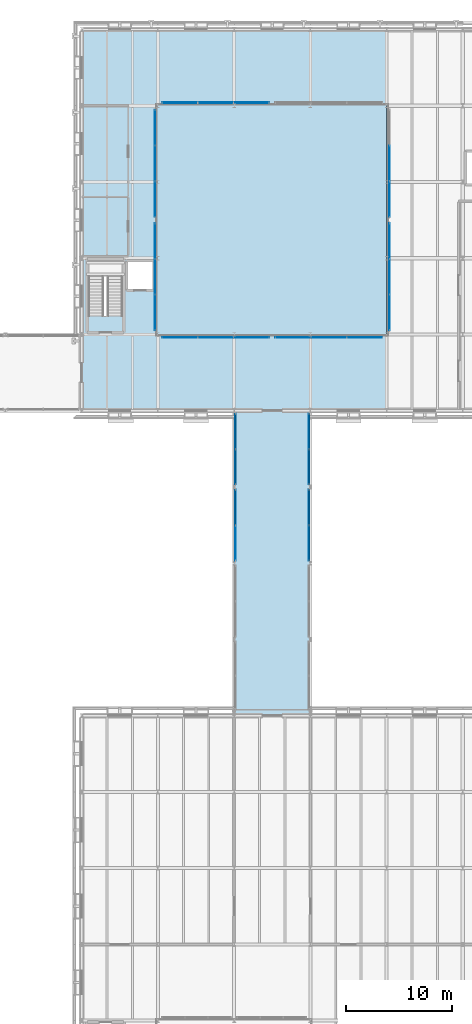
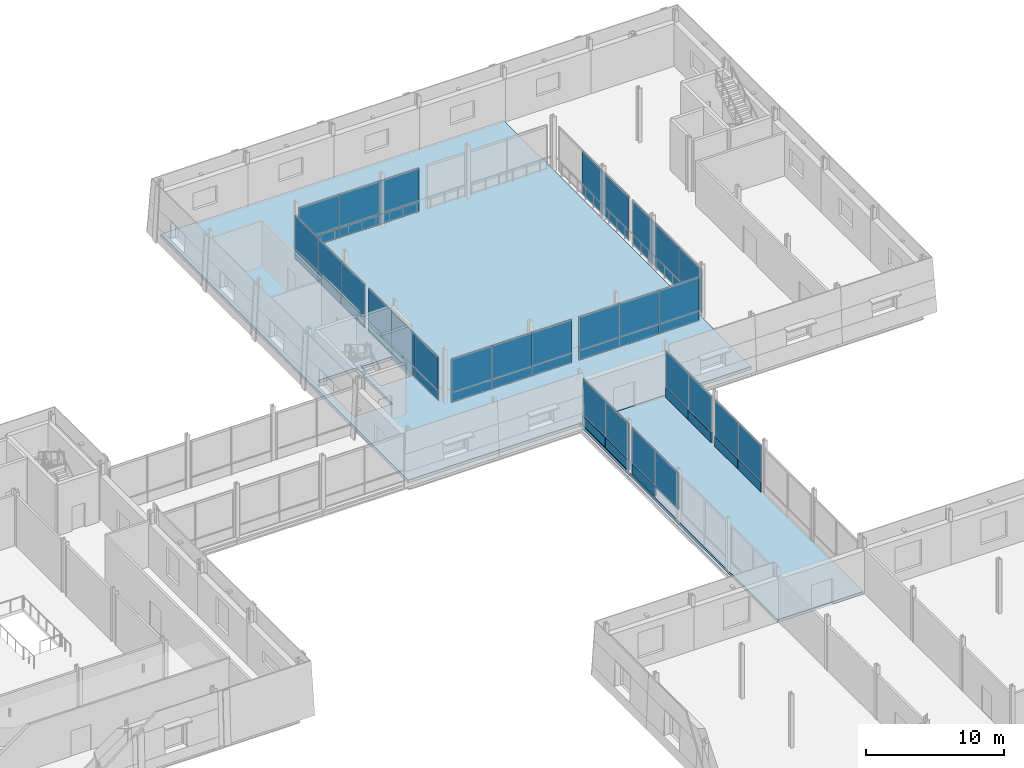
# One storey, part 67 of 121: 55 plates, 2 slabs, 11 elements without a shape of their own.
"""IFC4 building model written with IfcOpenShell, lengths in metres."""

from ifc_helpers import new_model, si_unit, direction, frame, origin, origin_2d, place, context, subcontext, project, spatial, polyline, rectangle, outline, extrude, material, layer, layer_set, type_object, element, aggregate, save


model = new_model("IFC4")

# Units and contexts
model_context = context("Model", 3, precision=1e-05, world=origin(), true_north=direction((0.0, 1.0)))
body_context = subcontext(model_context, "Body", "Model", "MODEL_VIEW")
ifc_project = project(units=[si_unit("LENGTHUNIT", "METRE"), si_unit("AREAUNIT", "SQUARE_METRE"), si_unit("VOLUMEUNIT", "CUBIC_METRE"), si_unit("PLANEANGLEUNIT", "RADIAN"), si_unit("MASSUNIT", "GRAM", prefix="KILO")], contexts=[model_context])

# Site, building, storey
site_placement = place(None, origin())
site = spatial("IfcSite", under=ifc_project, at=site_placement, CompositionType="ELEMENT")
building_placement = place(site_placement, origin())
building = spatial("IfcBuilding", under=site, at=building_placement, Name="Narikvali Park Central Library", CompositionType="ELEMENT")
storey_placement = place(building_placement, frame((0.0, 0.0, 5.39990234375)))
storey = spatial("IfcBuildingStorey", under=building, at=storey_placement, Name="L01", CompositionType="ELEMENT", Elevation=5.39990234375)

# Slabs
ifc_material_1 = material(Name="Concrete C40/50", Category="concrete")
ifc_layer_1 = layer(ifc_material_1, 0.25, Name="Concrete C40/50")
ifc_layer_set_1 = layer_set([ifc_layer_1], Name="Concrete C40/50")
slab_type_1 = type_object("IfcSlabType", Name="Bridge Sliding Deck Slab 250", PredefinedType="FLOOR", material=ifc_layer_set_1)
slab_1_placement = place(storey_placement, frame((0.0, 0.0, -0.25)))
element("IfcSlab", 1, at=slab_1_placement, inside=storey, type_object=slab_type_1, Name="BRG-4 L01 Covered Bridge Deck", PredefinedType="FLOOR", context=body_context, shape_type="SweptSolid", body=[
    extrude(outline(polyline([(136.800048828125, 50.43994140625), (144.0, 50.43994140625), (144.0, 79.159912109375), (136.800048828125, 79.159912109375), (136.800048828125, 50.43994140625)])), origin(), (0.0, 0.0, 1.0), 0.25),
])
ifc_material_2 = material(Name="Concrete C35/45", Category="concrete")
ifc_layer_2 = layer(ifc_material_2, 0.280029296875, Name="Concrete C35/45")
ifc_layer_set_2 = layer_set([ifc_layer_2], Name="Concrete C35/45")
slab_type_2 = type_object("IfcSlabType", Name="Composite Reading Floor Slab 280", PredefinedType="FLOOR", material=ifc_layer_set_2)
slab_2_placement = place(storey_placement, frame((0.0, 0.0, -0.27978515625)))
element("IfcSlab", 2, at=slab_2_placement, inside=storey, type_object=slab_type_2, Name="V3 L01 Structural Slab Panel 1", PredefinedType="FLOOR", context=body_context, shape_type="SweptSolid", body=[
    extrude(outline(polyline([(122.39990234375, 79.199951171875), (151.199951171875, 79.199951171875), (151.199951171875, 115.199951171875), (122.39990234375, 115.199951171875), (122.39990234375, 79.199951171875)]), holes=[polyline([(123.050048828125, 88.14990234375), (126.25, 88.14990234375), (126.25, 93.39990234375), (123.050048828125, 93.39990234375), (123.050048828125, 88.14990234375)]), polyline([(126.64990234375, 90.550048828125), (129.199951171875, 90.550048828125), (129.199951171875, 93.35009765625), (126.64990234375, 93.35009765625), (126.64990234375, 90.550048828125)])]), origin(), (0.0, 0.0, 1.0), 0.27978515625),
])

# Curtain wall, plate
ifc_material_3 = material(Name="Anodised Bronze Aluminium", Category="aluminium")
ifc_layer_3 = layer(ifc_material_3, 0.219970703125, Name="Anodised Bronze Aluminium")
ifc_layer_set_3 = layer_set([ifc_layer_3], Name="Anodised Bronze Aluminium")
curtain_wall_type_1 = type_object("IfcCurtainWallType", Name="Bridge Covered Passage Glazing System", PredefinedType="NOTDEFINED", material=ifc_layer_set_3)
curtain_wall_1_placement = place(storey_placement, origin())
curtain_wall_1 = element("IfcCurtainWall", 3, at=curtain_wall_1_placement, inside=storey, type_object=curtain_wall_type_1, Name="Bridge Covered Passage Glazing System CW-BRG-4-L01-W4", PredefinedType="NOTDEFINED")
ifc_material_4 = material(Name="Anodised Bronze Acoustic Spandrel Cassette")
ifc_layer_4 = layer(ifc_material_4, 0.1650390625, Name="Anodised Bronze Acoustic Spandrel Cassette")
ifc_layer_set_4 = layer_set([ifc_layer_4], Name="Anodised Bronze Acoustic Spandrel Cassette")
plate_type_1 = type_object("IfcPlateType", Name="Curtain Wall Acoustic Plenum Louvre Cassette 165", PredefinedType="CURTAIN_PANEL", material=ifc_layer_set_4)
plate_1_placement = place(storey_placement, frame((136.919921875, 77.235107421875, 0.03515625), z_axis=(0.0, 0.0, 1.0), x_axis=(0.0, 1.0, 0.0)))
plate_1 = element("IfcPlate", 4, at=plate_1_placement, type_object=plate_type_1, Name="CW-BRG-4-L01-W4 Panel 01-0", PredefinedType="CURTAIN_PANEL", context=body_context, shape_type="SweptSolid", body=[
    extrude(rectangle(XDim=3.320068359375, YDim=0.1650390625, at=origin_2d()), origin(), (0.0, 0.0, 1.0), 0.860107421875),
])

curtain_wall_2_placement = place(storey_placement, origin())
curtain_wall_2 = element("IfcCurtainWall", 5, at=curtain_wall_2_placement, inside=storey, type_object=curtain_wall_type_1, Name="Bridge Covered Passage Glazing System CW-BRG-4-L01-E4", PredefinedType="NOTDEFINED")
plate_2_placement = place(storey_placement, frame((143.8798828125, 73.905029296875, 0.03515625), z_axis=(0.0, 0.0, 1.0), x_axis=(0.0, 1.0, 0.0)))
plate_2 = element("IfcPlate", 6, at=plate_2_placement, type_object=plate_type_1, Name="CW-BRG-4-L01-E4 Panel 00-0", PredefinedType="CURTAIN_PANEL", context=body_context, shape_type="SweptSolid", body=[
    extrude(rectangle(XDim=3.320068359375, YDim=0.1650390625, at=origin_2d()), origin(), (0.0, 0.0, 1.0), 0.860107421875),
])

# Plate
ifc_material_5 = material(Name="Heavy Acoustic Laminated Clerestory Glazing", Category="glass")
ifc_layer_5 = layer(ifc_material_5, 0.06396484375, Name="Heavy Acoustic Laminated Clerestory Glazing")
ifc_layer_set_5 = layer_set([ifc_layer_5], Name="Heavy Acoustic Laminated Clerestory Glazing")
plate_type_2 = type_object("IfcPlateType", Name="Curtain Wall Clerestory Laminated Acoustic Glass 64", PredefinedType="CURTAIN_PANEL", material=ifc_layer_set_5)
plate_3_placement = place(storey_placement, frame((136.919921875, 73.905029296875, 0.905029296875), z_axis=(0.0, 0.0, 1.0), x_axis=(0.0, 1.0, 0.0)))
plate_3 = element("IfcPlate", 7, at=plate_3_placement, type_object=plate_type_2, Name="CW-BRG-4-L01-W4 Panel 00-1", PredefinedType="CURTAIN_PANEL", context=body_context, shape_type="SweptSolid", body=[
    extrude(rectangle(XDim=3.320068359375, YDim=0.06396484375, at=origin_2d()), origin(), (0.0, 0.0, 1.0), 3.2099609375),
])

plate_4_placement = place(storey_placement, frame((136.919921875, 77.235107421875, 0.905029296875), z_axis=(0.0, 0.0, 1.0), x_axis=(0.0, 1.0, 0.0)))
plate_4 = element("IfcPlate", 8, at=plate_4_placement, type_object=plate_type_2, Name="CW-BRG-4-L01-W4 Panel 01-1", PredefinedType="CURTAIN_PANEL", context=body_context, shape_type="SweptSolid", body=[
    extrude(rectangle(XDim=3.320068359375, YDim=0.06396484375, at=origin_2d()), origin(), (0.0, 0.0, 1.0), 3.2099609375),
])

# Curtain wall, plates
ifc_layer_6 = layer(ifc_material_3, 0.219970703125, Name="Anodised Bronze Aluminium")
ifc_layer_set_6 = layer_set([ifc_layer_6], Name="Anodised Bronze Aluminium")
curtain_wall_type_2 = type_object("IfcCurtainWallType", Name="Atrium Tall Curtain Wall System", PredefinedType="NOTDEFINED", material=ifc_layer_set_6)
curtain_wall_3_placement = place(storey_placement, origin())
curtain_wall_3 = element("IfcCurtainWall", 9, at=curtain_wall_3_placement, inside=storey, type_object=curtain_wall_type_2, Name="Atrium Tall Curtain Wall System CW-INT-V3-L01-W1", PredefinedType="NOTDEFINED")
plate_5_placement = place(storey_placement, frame((129.320068359375, 88.4833984375, 0.905029296875), z_axis=(0.0, 0.0, 1.0), x_axis=(0.0, 1.0, 0.0)))
plate_5 = element("IfcPlate", 10, at=plate_5_placement, type_object=plate_type_2, Name="CW-INT-V3-L01-W1 Panel 00-1", PredefinedType="CURTAIN_PANEL", context=body_context, shape_type="SweptSolid", body=[
    extrude(rectangle(XDim=3.356689453125, YDim=0.06396484375, at=origin_2d()), origin(), (0.0, 0.0, 1.0), 2.9599609375),
])
plate_6_placement = place(storey_placement, frame((129.320068359375, 91.85009765625, 0.905029296875), z_axis=(0.0, 0.0, 1.0), x_axis=(0.0, 1.0, 0.0)))
plate_6 = element("IfcPlate", 11, at=plate_6_placement, type_object=plate_type_2, Name="CW-INT-V3-L01-W1 Panel 01-1", PredefinedType="CURTAIN_PANEL", context=body_context, shape_type="SweptSolid", body=[
    extrude(rectangle(XDim=3.356689453125, YDim=0.06396484375, at=origin_2d()), origin(), (0.0, 0.0, 1.0), 2.9599609375),
])
plate_7_placement = place(storey_placement, frame((129.320068359375, 95.216796875, 0.905029296875), z_axis=(0.0, 0.0, 1.0), x_axis=(0.0, 1.0, 0.0)))
plate_7 = element("IfcPlate", 12, at=plate_7_placement, type_object=plate_type_2, Name="CW-INT-V3-L01-W1 Panel 02-1", PredefinedType="CURTAIN_PANEL", context=body_context, shape_type="SweptSolid", body=[
    extrude(rectangle(XDim=3.356689453125, YDim=0.06396484375, at=origin_2d()), origin(), (0.0, 0.0, 1.0), 2.9599609375),
])

curtain_wall_4_placement = place(storey_placement, origin())
curtain_wall_4 = element("IfcCurtainWall", 13, at=curtain_wall_4_placement, inside=storey, type_object=curtain_wall_type_2, Name="Atrium Tall Curtain Wall System CW-INT-V3-L01-W2", PredefinedType="NOTDEFINED")
plate_8_placement = place(storey_placement, frame((129.320068359375, 99.183349609375, 0.03515625), z_axis=(0.0, 0.0, 1.0), x_axis=(0.0, 1.0, 0.0)))
plate_8 = element("IfcPlate", 14, at=plate_8_placement, type_object=plate_type_2, Name="CW-INT-V3-L01-W2 Panel 00-0", PredefinedType="CURTAIN_PANEL", context=body_context, shape_type="SweptSolid", body=[
    extrude(rectangle(XDim=3.356689453125, YDim=0.06396484375, at=origin_2d()), origin(), (0.0, 0.0, 1.0), 0.860107421875),
])
plate_9_placement = place(storey_placement, frame((129.320068359375, 102.550048828125, 0.03515625), z_axis=(0.0, 0.0, 1.0), x_axis=(0.0, 1.0, 0.0)))
plate_9 = element("IfcPlate", 15, at=plate_9_placement, type_object=plate_type_2, Name="CW-INT-V3-L01-W2 Panel 01-0", PredefinedType="CURTAIN_PANEL", context=body_context, shape_type="SweptSolid", body=[
    extrude(rectangle(XDim=3.356689453125, YDim=0.06396484375, at=origin_2d()), origin(), (0.0, 0.0, 1.0), 0.860107421875),
])
plate_10_placement = place(storey_placement, frame((129.320068359375, 105.916748046875, 0.03515625), z_axis=(0.0, 0.0, 1.0), x_axis=(0.0, 1.0, 0.0)))
plate_10 = element("IfcPlate", 16, at=plate_10_placement, type_object=plate_type_2, Name="CW-INT-V3-L01-W2 Panel 02-0", PredefinedType="CURTAIN_PANEL", context=body_context, shape_type="SweptSolid", body=[
    extrude(rectangle(XDim=3.356689453125, YDim=0.06396484375, at=origin_2d()), origin(), (0.0, 0.0, 1.0), 0.860107421875),
])

curtain_wall_5_placement = place(storey_placement, origin())
curtain_wall_5 = element("IfcCurtainWall", 17, at=curtain_wall_5_placement, inside=storey, type_object=curtain_wall_type_2, Name="Atrium Tall Curtain Wall System CW-INT-V3-L01-E2", PredefinedType="NOTDEFINED")
plate_11_placement = place(storey_placement, frame((151.47998046875, 99.183349609375, 0.905029296875), z_axis=(0.0, 0.0, 1.0), x_axis=(0.0, 1.0, 0.0)))
plate_11 = element("IfcPlate", 18, at=plate_11_placement, type_object=plate_type_2, Name="CW-INT-V3-L01-E2 Panel 00-1", PredefinedType="CURTAIN_PANEL", context=body_context, shape_type="SweptSolid", body=[
    extrude(rectangle(XDim=3.356689453125, YDim=0.06396484375, at=origin_2d()), origin(), (0.0, 0.0, 1.0), 2.9599609375),
])
plate_12_placement = place(storey_placement, frame((151.47998046875, 102.550048828125, 0.905029296875), z_axis=(0.0, 0.0, 1.0), x_axis=(0.0, 1.0, 0.0)))
plate_12 = element("IfcPlate", 19, at=plate_12_placement, type_object=plate_type_2, Name="CW-INT-V3-L01-E2 Panel 01-1", PredefinedType="CURTAIN_PANEL", context=body_context, shape_type="SweptSolid", body=[
    extrude(rectangle(XDim=3.356689453125, YDim=0.06396484375, at=origin_2d()), origin(), (0.0, 0.0, 1.0), 2.9599609375),
])

curtain_wall_6_placement = place(storey_placement, origin())
curtain_wall_6 = element("IfcCurtainWall", 20, at=curtain_wall_6_placement, inside=storey, type_object=curtain_wall_type_2, Name="Atrium Tall Curtain Wall System CW-INT-V3-L01-N1", PredefinedType="NOTDEFINED")
plate_13_placement = place(storey_placement, frame((131.683349609375, 108.280029296875, 0.03515625), z_axis=(0.0, 0.0, 1.0), x_axis=(1.0, 0.0, 0.0)))
plate_13 = element("IfcPlate", 21, at=plate_13_placement, type_object=plate_type_2, Name="CW-INT-V3-L01-N1 Panel 00-0", PredefinedType="CURTAIN_PANEL", context=body_context, shape_type="SweptSolid", body=[
    extrude(rectangle(XDim=3.356689453125, YDim=0.06396484375, at=origin_2d()), origin(), (0.0, 0.0, 1.0), 0.860107421875),
])
plate_14_placement = place(storey_placement, frame((135.050048828125, 108.280029296875, 0.03515625), z_axis=(0.0, 0.0, 1.0), x_axis=(1.0, 0.0, 0.0)))
plate_14 = element("IfcPlate", 22, at=plate_14_placement, type_object=plate_type_2, Name="CW-INT-V3-L01-N1 Panel 01-0", PredefinedType="CURTAIN_PANEL", context=body_context, shape_type="SweptSolid", body=[
    extrude(rectangle(XDim=3.356689453125, YDim=0.06396484375, at=origin_2d()), origin(), (0.0, 0.0, 1.0), 0.860107421875),
])
plate_15_placement = place(storey_placement, frame((138.416748046875, 108.280029296875, 0.03515625), z_axis=(0.0, 0.0, 1.0), x_axis=(1.0, 0.0, 0.0)))
plate_15 = element("IfcPlate", 23, at=plate_15_placement, type_object=plate_type_2, Name="CW-INT-V3-L01-N1 Panel 02-0", PredefinedType="CURTAIN_PANEL", context=body_context, shape_type="SweptSolid", body=[
    extrude(rectangle(XDim=3.356689453125, YDim=0.06396484375, at=origin_2d()), origin(), (0.0, 0.0, 1.0), 0.860107421875),
])

curtain_wall_7_placement = place(storey_placement, origin())
curtain_wall_7 = element("IfcCurtainWall", 24, at=curtain_wall_7_placement, inside=storey, type_object=curtain_wall_type_2, Name="Atrium Tall Curtain Wall System CW-INT-V3-L01-S1", PredefinedType="NOTDEFINED")
plate_16_placement = place(storey_placement, frame((131.683349609375, 86.1201171875, 0.905029296875), z_axis=(0.0, 0.0, 1.0), x_axis=(1.0, 0.0, 0.0)))
plate_16 = element("IfcPlate", 25, at=plate_16_placement, type_object=plate_type_2, Name="CW-INT-V3-L01-S1 Panel 00-1", PredefinedType="CURTAIN_PANEL", context=body_context, shape_type="SweptSolid", body=[
    extrude(rectangle(XDim=3.356689453125, YDim=0.06396484375, at=origin_2d()), origin(), (0.0, 0.0, 1.0), 2.9599609375),
])
plate_17_placement = place(storey_placement, frame((135.050048828125, 86.1201171875, 0.905029296875), z_axis=(0.0, 0.0, 1.0), x_axis=(1.0, 0.0, 0.0)))
plate_17 = element("IfcPlate", 26, at=plate_17_placement, type_object=plate_type_2, Name="CW-INT-V3-L01-S1 Panel 01-1", PredefinedType="CURTAIN_PANEL", context=body_context, shape_type="SweptSolid", body=[
    extrude(rectangle(XDim=3.356689453125, YDim=0.06396484375, at=origin_2d()), origin(), (0.0, 0.0, 1.0), 2.9599609375),
])
plate_18_placement = place(storey_placement, frame((138.416748046875, 86.1201171875, 0.905029296875), z_axis=(0.0, 0.0, 1.0), x_axis=(1.0, 0.0, 0.0)))
plate_18 = element("IfcPlate", 27, at=plate_18_placement, type_object=plate_type_2, Name="CW-INT-V3-L01-S1 Panel 02-1", PredefinedType="CURTAIN_PANEL", context=body_context, shape_type="SweptSolid", body=[
    extrude(rectangle(XDim=3.356689453125, YDim=0.06396484375, at=origin_2d()), origin(), (0.0, 0.0, 1.0), 2.9599609375),
])

curtain_wall_8_placement = place(storey_placement, origin())
curtain_wall_8 = element("IfcCurtainWall", 28, at=curtain_wall_8_placement, inside=storey, type_object=curtain_wall_type_2, Name="Atrium Tall Curtain Wall System CW-INT-V3-L01-S2", PredefinedType="NOTDEFINED")
plate_19_placement = place(storey_placement, frame((142.38330078125, 86.1201171875, 0.03515625), z_axis=(0.0, 0.0, 1.0), x_axis=(1.0, 0.0, 0.0)))
plate_19 = element("IfcPlate", 29, at=plate_19_placement, type_object=plate_type_2, Name="CW-INT-V3-L01-S2 Panel 00-0", PredefinedType="CURTAIN_PANEL", context=body_context, shape_type="SweptSolid", body=[
    extrude(rectangle(XDim=3.356689453125, YDim=0.06396484375, at=origin_2d()), origin(), (0.0, 0.0, 1.0), 0.860107421875),
])
plate_20_placement = place(storey_placement, frame((145.75, 86.1201171875, 0.03515625), z_axis=(0.0, 0.0, 1.0), x_axis=(1.0, 0.0, 0.0)))
plate_20 = element("IfcPlate", 30, at=plate_20_placement, type_object=plate_type_2, Name="CW-INT-V3-L01-S2 Panel 01-0", PredefinedType="CURTAIN_PANEL", context=body_context, shape_type="SweptSolid", body=[
    extrude(rectangle(XDim=3.356689453125, YDim=0.06396484375, at=origin_2d()), origin(), (0.0, 0.0, 1.0), 0.860107421875),
])
plate_21_placement = place(storey_placement, frame((149.11669921875, 86.1201171875, 0.03515625), z_axis=(0.0, 0.0, 1.0), x_axis=(1.0, 0.0, 0.0)))
plate_21 = element("IfcPlate", 31, at=plate_21_placement, type_object=plate_type_2, Name="CW-INT-V3-L01-S2 Panel 02-0", PredefinedType="CURTAIN_PANEL", context=body_context, shape_type="SweptSolid", body=[
    extrude(rectangle(XDim=3.356689453125, YDim=0.06396484375, at=origin_2d()), origin(), (0.0, 0.0, 1.0), 0.860107421875),
])

curtain_wall_9_placement = place(storey_placement, origin())
curtain_wall_9 = element("IfcCurtainWall", 32, at=curtain_wall_9_placement, inside=storey, type_object=curtain_wall_type_1, Name="Bridge Covered Passage Glazing System CW-BRG-4-L01-W3", PredefinedType="NOTDEFINED")
ifc_material_6 = material(Name="Double Low-E Tempered Vision Glazing", Category="glass")
ifc_layer_7 = layer(ifc_material_6, 0.035888671875, Name="Double Low-E Tempered Vision Glazing")
ifc_layer_set_7 = layer_set([ifc_layer_7], Name="Double Low-E Tempered Vision Glazing")
plate_type_3 = type_object("IfcPlateType", Name="Curtain Wall Double Low-E Vision Glazing 36", PredefinedType="CURTAIN_PANEL", material=ifc_layer_set_7)
plate_22_placement = place(storey_placement, frame((136.919921875, 66.719970703125, 0.905029296875), z_axis=(0.0, 0.0, 1.0), x_axis=(0.0, 1.0, 0.0)))
plate_22 = element("IfcPlate", 33, at=plate_22_placement, type_object=plate_type_3, Name="CW-BRG-4-L01-W3 Panel 00-1", PredefinedType="CURTAIN_PANEL", context=body_context, shape_type="SweptSolid", body=[
    extrude(rectangle(XDim=3.35009765625, YDim=0.035888671875, at=origin_2d()), origin(), (0.0, 0.0, 1.0), 3.2099609375),
])
plate_23_placement = place(storey_placement, frame((136.919921875, 70.080078125, 0.905029296875), z_axis=(0.0, 0.0, 1.0), x_axis=(0.0, 1.0, 0.0)))
plate_23 = element("IfcPlate", 34, at=plate_23_placement, type_object=plate_type_3, Name="CW-BRG-4-L01-W3 Panel 01-1", PredefinedType="CURTAIN_PANEL", context=body_context, shape_type="SweptSolid", body=[
    extrude(rectangle(XDim=3.35009765625, YDim=0.035888671875, at=origin_2d()), origin(), (0.0, 0.0, 1.0), 3.2099609375),
])

# Plate
plate_24_placement = place(storey_placement, frame((143.8798828125, 73.905029296875, 0.905029296875), z_axis=(0.0, 0.0, 1.0), x_axis=(0.0, 1.0, 0.0)))
plate_24 = element("IfcPlate", 35, at=plate_24_placement, type_object=plate_type_3, Name="CW-BRG-4-L01-E4 Panel 00-1", PredefinedType="CURTAIN_PANEL", context=body_context, shape_type="SweptSolid", body=[
    extrude(rectangle(XDim=3.320068359375, YDim=0.035888671875, at=origin_2d()), origin(), (0.0, 0.0, 1.0), 3.2099609375),
])

plate_25_placement = place(storey_placement, frame((143.8798828125, 77.235107421875, 0.905029296875), z_axis=(0.0, 0.0, 1.0), x_axis=(0.0, 1.0, 0.0)))
plate_25 = element("IfcPlate", 36, at=plate_25_placement, type_object=plate_type_3, Name="CW-BRG-4-L01-E4 Panel 01-1", PredefinedType="CURTAIN_PANEL", context=body_context, shape_type="SweptSolid", body=[
    extrude(rectangle(XDim=3.320068359375, YDim=0.035888671875, at=origin_2d()), origin(), (0.0, 0.0, 1.0), 3.2099609375),
])

plate_26_placement = place(storey_placement, frame((129.320068359375, 99.183349609375, 0.905029296875), z_axis=(0.0, 0.0, 1.0), x_axis=(0.0, 1.0, 0.0)))
plate_26 = element("IfcPlate", 37, at=plate_26_placement, type_object=plate_type_3, Name="CW-INT-V3-L01-W2 Panel 00-1", PredefinedType="CURTAIN_PANEL", context=body_context, shape_type="SweptSolid", body=[
    extrude(rectangle(XDim=3.356689453125, YDim=0.035888671875, at=origin_2d()), origin(), (0.0, 0.0, 1.0), 2.9599609375),
])

plate_27_placement = place(storey_placement, frame((129.320068359375, 102.550048828125, 0.905029296875), z_axis=(0.0, 0.0, 1.0), x_axis=(0.0, 1.0, 0.0)))
plate_27 = element("IfcPlate", 38, at=plate_27_placement, type_object=plate_type_3, Name="CW-INT-V3-L01-W2 Panel 01-1", PredefinedType="CURTAIN_PANEL", context=body_context, shape_type="SweptSolid", body=[
    extrude(rectangle(XDim=3.356689453125, YDim=0.035888671875, at=origin_2d()), origin(), (0.0, 0.0, 1.0), 2.9599609375),
])

plate_28_placement = place(storey_placement, frame((129.320068359375, 105.916748046875, 0.905029296875), z_axis=(0.0, 0.0, 1.0), x_axis=(0.0, 1.0, 0.0)))
plate_28 = element("IfcPlate", 39, at=plate_28_placement, type_object=plate_type_3, Name="CW-INT-V3-L01-W2 Panel 02-1", PredefinedType="CURTAIN_PANEL", context=body_context, shape_type="SweptSolid", body=[
    extrude(rectangle(XDim=3.356689453125, YDim=0.035888671875, at=origin_2d()), origin(), (0.0, 0.0, 1.0), 2.9599609375),
])

aggregate(curtain_wall_4, [plate_8, plate_26, plate_9, plate_27, plate_10, plate_28])

# Curtain wall, plates
curtain_wall_10_placement = place(storey_placement, origin())
curtain_wall_10 = element("IfcCurtainWall", 40, at=curtain_wall_10_placement, inside=storey, type_object=curtain_wall_type_2, Name="Atrium Tall Curtain Wall System CW-INT-V3-L01-E1", PredefinedType="NOTDEFINED")
plate_29_placement = place(storey_placement, frame((151.47998046875, 88.4833984375, 0.03515625), z_axis=(0.0, 0.0, 1.0), x_axis=(0.0, 1.0, 0.0)))
plate_29 = element("IfcPlate", 41, at=plate_29_placement, type_object=plate_type_3, Name="CW-INT-V3-L01-E1 Panel 00-0", PredefinedType="CURTAIN_PANEL", context=body_context, shape_type="SweptSolid", body=[
    extrude(rectangle(XDim=3.356689453125, YDim=0.035888671875, at=origin_2d()), origin(), (0.0, 0.0, 1.0), 0.860107421875),
])
plate_30_placement = place(storey_placement, frame((151.47998046875, 91.85009765625, 0.03515625), z_axis=(0.0, 0.0, 1.0), x_axis=(0.0, 1.0, 0.0)))
plate_30 = element("IfcPlate", 42, at=plate_30_placement, type_object=plate_type_3, Name="CW-INT-V3-L01-E1 Panel 01-0", PredefinedType="CURTAIN_PANEL", context=body_context, shape_type="SweptSolid", body=[
    extrude(rectangle(XDim=3.356689453125, YDim=0.035888671875, at=origin_2d()), origin(), (0.0, 0.0, 1.0), 0.860107421875),
])
plate_31_placement = place(storey_placement, frame((151.47998046875, 95.216796875, 0.03515625), z_axis=(0.0, 0.0, 1.0), x_axis=(0.0, 1.0, 0.0)))
plate_31 = element("IfcPlate", 43, at=plate_31_placement, type_object=plate_type_3, Name="CW-INT-V3-L01-E1 Panel 02-0", PredefinedType="CURTAIN_PANEL", context=body_context, shape_type="SweptSolid", body=[
    extrude(rectangle(XDim=3.356689453125, YDim=0.035888671875, at=origin_2d()), origin(), (0.0, 0.0, 1.0), 0.860107421875),
])

# Plate
plate_32_placement = place(storey_placement, frame((131.683349609375, 108.280029296875, 0.905029296875), z_axis=(0.0, 0.0, 1.0), x_axis=(1.0, 0.0, 0.0)))
plate_32 = element("IfcPlate", 44, at=plate_32_placement, type_object=plate_type_3, Name="CW-INT-V3-L01-N1 Panel 00-1", PredefinedType="CURTAIN_PANEL", context=body_context, shape_type="SweptSolid", body=[
    extrude(rectangle(XDim=3.356689453125, YDim=0.035888671875, at=origin_2d()), origin(), (0.0, 0.0, 1.0), 2.9599609375),
])

plate_33_placement = place(storey_placement, frame((135.050048828125, 108.280029296875, 0.905029296875), z_axis=(0.0, 0.0, 1.0), x_axis=(1.0, 0.0, 0.0)))
plate_33 = element("IfcPlate", 45, at=plate_33_placement, type_object=plate_type_3, Name="CW-INT-V3-L01-N1 Panel 01-1", PredefinedType="CURTAIN_PANEL", context=body_context, shape_type="SweptSolid", body=[
    extrude(rectangle(XDim=3.356689453125, YDim=0.035888671875, at=origin_2d()), origin(), (0.0, 0.0, 1.0), 2.9599609375),
])

plate_34_placement = place(storey_placement, frame((138.416748046875, 108.280029296875, 0.905029296875), z_axis=(0.0, 0.0, 1.0), x_axis=(1.0, 0.0, 0.0)))
plate_34 = element("IfcPlate", 46, at=plate_34_placement, type_object=plate_type_3, Name="CW-INT-V3-L01-N1 Panel 02-1", PredefinedType="CURTAIN_PANEL", context=body_context, shape_type="SweptSolid", body=[
    extrude(rectangle(XDim=3.356689453125, YDim=0.035888671875, at=origin_2d()), origin(), (0.0, 0.0, 1.0), 2.9599609375),
])

aggregate(curtain_wall_6, [plate_13, plate_32, plate_14, plate_33, plate_15, plate_34])

plate_35_placement = place(storey_placement, frame((142.38330078125, 86.1201171875, 0.905029296875), z_axis=(0.0, 0.0, 1.0), x_axis=(1.0, 0.0, 0.0)))
plate_35 = element("IfcPlate", 47, at=plate_35_placement, type_object=plate_type_3, Name="CW-INT-V3-L01-S2 Panel 00-1", PredefinedType="CURTAIN_PANEL", context=body_context, shape_type="SweptSolid", body=[
    extrude(rectangle(XDim=3.356689453125, YDim=0.035888671875, at=origin_2d()), origin(), (0.0, 0.0, 1.0), 2.9599609375),
])

plate_36_placement = place(storey_placement, frame((145.75, 86.1201171875, 0.905029296875), z_axis=(0.0, 0.0, 1.0), x_axis=(1.0, 0.0, 0.0)))
plate_36 = element("IfcPlate", 48, at=plate_36_placement, type_object=plate_type_3, Name="CW-INT-V3-L01-S2 Panel 01-1", PredefinedType="CURTAIN_PANEL", context=body_context, shape_type="SweptSolid", body=[
    extrude(rectangle(XDim=3.356689453125, YDim=0.035888671875, at=origin_2d()), origin(), (0.0, 0.0, 1.0), 2.9599609375),
])

plate_37_placement = place(storey_placement, frame((149.11669921875, 86.1201171875, 0.905029296875), z_axis=(0.0, 0.0, 1.0), x_axis=(1.0, 0.0, 0.0)))
plate_37 = element("IfcPlate", 49, at=plate_37_placement, type_object=plate_type_3, Name="CW-INT-V3-L01-S2 Panel 02-1", PredefinedType="CURTAIN_PANEL", context=body_context, shape_type="SweptSolid", body=[
    extrude(rectangle(XDim=3.356689453125, YDim=0.035888671875, at=origin_2d()), origin(), (0.0, 0.0, 1.0), 2.9599609375),
])

aggregate(curtain_wall_8, [plate_19, plate_35, plate_20, plate_36, plate_21, plate_37])

ifc_material_7 = material(Name="Anodised Bronze Insulated Spandrel Cassette")
ifc_layer_8 = layer(ifc_material_7, 0.110107421875, Name="Anodised Bronze Insulated Spandrel Cassette")
ifc_layer_set_8 = layer_set([ifc_layer_8], Name="Anodised Bronze Insulated Spandrel Cassette")
plate_type_4 = type_object("IfcPlateType", Name="Curtain Wall Insulated Bronze Spandrel Cassette 110", PredefinedType="CURTAIN_PANEL", material=ifc_layer_set_8)
plate_38_placement = place(storey_placement, frame((136.919921875, 70.080078125, 0.03515625), z_axis=(0.0, 0.0, 1.0), x_axis=(0.0, 1.0, 0.0)))
plate_38 = element("IfcPlate", 50, at=plate_38_placement, type_object=plate_type_4, Name="CW-BRG-4-L01-W3 Panel 01-0", PredefinedType="CURTAIN_PANEL", context=body_context, shape_type="SweptSolid", body=[
    extrude(rectangle(XDim=3.35009765625, YDim=0.110107421875, at=origin_2d()), origin(), (0.0, 0.0, 1.0), 0.860107421875),
])

aggregate(curtain_wall_9, [plate_22, plate_38, plate_23])

# Curtain wall, plate
curtain_wall_11_placement = place(storey_placement, origin())
curtain_wall_11 = element("IfcCurtainWall", 51, at=curtain_wall_11_placement, inside=storey, type_object=curtain_wall_type_1, Name="Bridge Covered Passage Glazing System CW-BRG-4-L01-E3", PredefinedType="NOTDEFINED")
plate_39_placement = place(storey_placement, frame((143.8798828125, 66.719970703125, 0.03515625), z_axis=(0.0, 0.0, 1.0), x_axis=(0.0, 1.0, 0.0)))
plate_39 = element("IfcPlate", 52, at=plate_39_placement, type_object=plate_type_4, Name="CW-BRG-4-L01-E3 Panel 00-0", PredefinedType="CURTAIN_PANEL", context=body_context, shape_type="SweptSolid", body=[
    extrude(rectangle(XDim=3.35009765625, YDim=0.110107421875, at=origin_2d()), origin(), (0.0, 0.0, 1.0), 0.860107421875),
])

# Plate
plate_40_placement = place(storey_placement, frame((143.8798828125, 77.235107421875, 0.03515625), z_axis=(0.0, 0.0, 1.0), x_axis=(0.0, 1.0, 0.0)))
plate_40 = element("IfcPlate", 53, at=plate_40_placement, type_object=plate_type_4, Name="CW-BRG-4-L01-E4 Panel 01-0", PredefinedType="CURTAIN_PANEL", context=body_context, shape_type="SweptSolid", body=[
    extrude(rectangle(XDim=3.320068359375, YDim=0.110107421875, at=origin_2d()), origin(), (0.0, 0.0, 1.0), 0.860107421875),
])

aggregate(curtain_wall_2, [plate_2, plate_24, plate_40, plate_25])

ifc_material_8 = material(Name="Mineral-Wool Shadow-Box Spandrel Assembly")
ifc_layer_9 = layer(ifc_material_8, 0.139892578125, Name="Mineral-Wool Shadow-Box Spandrel Assembly")
ifc_layer_set_9 = layer_set([ifc_layer_9], Name="Mineral-Wool Shadow-Box Spandrel Assembly")
plate_type_5 = type_object("IfcPlateType", Name="Curtain Wall Shadow-Box Mineral Spandrel Panel 140", PredefinedType="CURTAIN_PANEL", material=ifc_layer_set_9)
plate_41_placement = place(storey_placement, frame((143.8798828125, 70.080078125, 0.03515625), z_axis=(0.0, 0.0, 1.0), x_axis=(0.0, 1.0, 0.0)))
plate_41 = element("IfcPlate", 54, at=plate_41_placement, type_object=plate_type_5, Name="CW-BRG-4-L01-E3 Panel 01-0", PredefinedType="CURTAIN_PANEL", context=body_context, shape_type="SweptSolid", body=[
    extrude(rectangle(XDim=3.35009765625, YDim=0.139892578125, at=origin_2d()), origin(), (0.0, 0.0, 1.0), 0.860107421875),
])

plate_42_placement = place(storey_placement, frame((136.919921875, 73.905029296875, 0.03515625), z_axis=(0.0, 0.0, 1.0), x_axis=(0.0, 1.0, 0.0)))
plate_42 = element("IfcPlate", 55, at=plate_42_placement, type_object=plate_type_5, Name="CW-BRG-4-L01-W4 Panel 00-0", PredefinedType="CURTAIN_PANEL", context=body_context, shape_type="SweptSolid", body=[
    extrude(rectangle(XDim=3.320068359375, YDim=0.139892578125, at=origin_2d()), origin(), (0.0, 0.0, 1.0), 0.860107421875),
])

aggregate(curtain_wall_1, [plate_42, plate_3, plate_1, plate_4])

ifc_material_9 = material(Name="Triple Low-E Acoustic Laminated Glazing", Category="glass")
ifc_layer_10 = layer(ifc_material_9, 0.048095703125, Name="Triple Low-E Acoustic Laminated Glazing")
ifc_layer_set_10 = layer_set([ifc_layer_10], Name="Triple Low-E Acoustic Laminated Glazing")
plate_type_6 = type_object("IfcPlateType", Name="Curtain Wall Triple Solar-Acoustic Glazing 48", PredefinedType="CURTAIN_PANEL", material=ifc_layer_set_10)
plate_43_placement = place(storey_placement, frame((143.8798828125, 66.719970703125, 0.905029296875), z_axis=(0.0, 0.0, 1.0), x_axis=(0.0, 1.0, 0.0)))
plate_43 = element("IfcPlate", 56, at=plate_43_placement, type_object=plate_type_6, Name="CW-BRG-4-L01-E3 Panel 00-1", PredefinedType="CURTAIN_PANEL", context=body_context, shape_type="SweptSolid", body=[
    extrude(rectangle(XDim=3.35009765625, YDim=0.048095703125, at=origin_2d()), origin(), (0.0, 0.0, 1.0), 3.2099609375),
])

plate_44_placement = place(storey_placement, frame((143.8798828125, 70.080078125, 0.905029296875), z_axis=(0.0, 0.0, 1.0), x_axis=(0.0, 1.0, 0.0)))
plate_44 = element("IfcPlate", 57, at=plate_44_placement, type_object=plate_type_6, Name="CW-BRG-4-L01-E3 Panel 01-1", PredefinedType="CURTAIN_PANEL", context=body_context, shape_type="SweptSolid", body=[
    extrude(rectangle(XDim=3.35009765625, YDim=0.048095703125, at=origin_2d()), origin(), (0.0, 0.0, 1.0), 3.2099609375),
])

aggregate(curtain_wall_11, [plate_39, plate_43, plate_41, plate_44])

plate_45_placement = place(storey_placement, frame((129.320068359375, 88.4833984375, 0.03515625), z_axis=(0.0, 0.0, 1.0), x_axis=(0.0, 1.0, 0.0)))
plate_45 = element("IfcPlate", 58, at=plate_45_placement, type_object=plate_type_6, Name="CW-INT-V3-L01-W1 Panel 00-0", PredefinedType="CURTAIN_PANEL", context=body_context, shape_type="SweptSolid", body=[
    extrude(rectangle(XDim=3.356689453125, YDim=0.048095703125, at=origin_2d()), origin(), (0.0, 0.0, 1.0), 0.860107421875),
])

plate_46_placement = place(storey_placement, frame((129.320068359375, 91.85009765625, 0.03515625), z_axis=(0.0, 0.0, 1.0), x_axis=(0.0, 1.0, 0.0)))
plate_46 = element("IfcPlate", 59, at=plate_46_placement, type_object=plate_type_6, Name="CW-INT-V3-L01-W1 Panel 01-0", PredefinedType="CURTAIN_PANEL", context=body_context, shape_type="SweptSolid", body=[
    extrude(rectangle(XDim=3.356689453125, YDim=0.048095703125, at=origin_2d()), origin(), (0.0, 0.0, 1.0), 0.860107421875),
])

plate_47_placement = place(storey_placement, frame((129.320068359375, 95.216796875, 0.03515625), z_axis=(0.0, 0.0, 1.0), x_axis=(0.0, 1.0, 0.0)))
plate_47 = element("IfcPlate", 60, at=plate_47_placement, type_object=plate_type_6, Name="CW-INT-V3-L01-W1 Panel 02-0", PredefinedType="CURTAIN_PANEL", context=body_context, shape_type="SweptSolid", body=[
    extrude(rectangle(XDim=3.356689453125, YDim=0.048095703125, at=origin_2d()), origin(), (0.0, 0.0, 1.0), 0.860107421875),
])

aggregate(curtain_wall_3, [plate_45, plate_5, plate_46, plate_6, plate_47, plate_7])

plate_48_placement = place(storey_placement, frame((151.47998046875, 88.4833984375, 0.905029296875), z_axis=(0.0, 0.0, 1.0), x_axis=(0.0, 1.0, 0.0)))
plate_48 = element("IfcPlate", 61, at=plate_48_placement, type_object=plate_type_6, Name="CW-INT-V3-L01-E1 Panel 00-1", PredefinedType="CURTAIN_PANEL", context=body_context, shape_type="SweptSolid", body=[
    extrude(rectangle(XDim=3.356689453125, YDim=0.048095703125, at=origin_2d()), origin(), (0.0, 0.0, 1.0), 2.9599609375),
])

plate_49_placement = place(storey_placement, frame((151.47998046875, 91.85009765625, 0.905029296875), z_axis=(0.0, 0.0, 1.0), x_axis=(0.0, 1.0, 0.0)))
plate_49 = element("IfcPlate", 62, at=plate_49_placement, type_object=plate_type_6, Name="CW-INT-V3-L01-E1 Panel 01-1", PredefinedType="CURTAIN_PANEL", context=body_context, shape_type="SweptSolid", body=[
    extrude(rectangle(XDim=3.356689453125, YDim=0.048095703125, at=origin_2d()), origin(), (0.0, 0.0, 1.0), 2.9599609375),
])

plate_50_placement = place(storey_placement, frame((151.47998046875, 95.216796875, 0.905029296875), z_axis=(0.0, 0.0, 1.0), x_axis=(0.0, 1.0, 0.0)))
plate_50 = element("IfcPlate", 63, at=plate_50_placement, type_object=plate_type_6, Name="CW-INT-V3-L01-E1 Panel 02-1", PredefinedType="CURTAIN_PANEL", context=body_context, shape_type="SweptSolid", body=[
    extrude(rectangle(XDim=3.356689453125, YDim=0.048095703125, at=origin_2d()), origin(), (0.0, 0.0, 1.0), 2.9599609375),
])

aggregate(curtain_wall_10, [plate_29, plate_48, plate_30, plate_49, plate_31, plate_50])

plate_51_placement = place(storey_placement, frame((151.47998046875, 99.183349609375, 0.03515625), z_axis=(0.0, 0.0, 1.0), x_axis=(0.0, 1.0, 0.0)))
plate_51 = element("IfcPlate", 64, at=plate_51_placement, type_object=plate_type_6, Name="CW-INT-V3-L01-E2 Panel 00-0", PredefinedType="CURTAIN_PANEL", context=body_context, shape_type="SweptSolid", body=[
    extrude(rectangle(XDim=3.356689453125, YDim=0.048095703125, at=origin_2d()), origin(), (0.0, 0.0, 1.0), 0.860107421875),
])

plate_52_placement = place(storey_placement, frame((151.47998046875, 102.550048828125, 0.03515625), z_axis=(0.0, 0.0, 1.0), x_axis=(0.0, 1.0, 0.0)))
plate_52 = element("IfcPlate", 65, at=plate_52_placement, type_object=plate_type_6, Name="CW-INT-V3-L01-E2 Panel 01-0", PredefinedType="CURTAIN_PANEL", context=body_context, shape_type="SweptSolid", body=[
    extrude(rectangle(XDim=3.356689453125, YDim=0.048095703125, at=origin_2d()), origin(), (0.0, 0.0, 1.0), 0.860107421875),
])

aggregate(curtain_wall_5, [plate_51, plate_11, plate_52, plate_12])

plate_53_placement = place(storey_placement, frame((131.683349609375, 86.1201171875, 0.03515625), z_axis=(0.0, 0.0, 1.0), x_axis=(1.0, 0.0, 0.0)))
plate_53 = element("IfcPlate", 66, at=plate_53_placement, type_object=plate_type_6, Name="CW-INT-V3-L01-S1 Panel 00-0", PredefinedType="CURTAIN_PANEL", context=body_context, shape_type="SweptSolid", body=[
    extrude(rectangle(XDim=3.356689453125, YDim=0.048095703125, at=origin_2d()), origin(), (0.0, 0.0, 1.0), 0.860107421875),
])

plate_54_placement = place(storey_placement, frame((135.050048828125, 86.1201171875, 0.03515625), z_axis=(0.0, 0.0, 1.0), x_axis=(1.0, 0.0, 0.0)))
plate_54 = element("IfcPlate", 67, at=plate_54_placement, type_object=plate_type_6, Name="CW-INT-V3-L01-S1 Panel 01-0", PredefinedType="CURTAIN_PANEL", context=body_context, shape_type="SweptSolid", body=[
    extrude(rectangle(XDim=3.356689453125, YDim=0.048095703125, at=origin_2d()), origin(), (0.0, 0.0, 1.0), 0.860107421875),
])

plate_55_placement = place(storey_placement, frame((138.416748046875, 86.1201171875, 0.03515625), z_axis=(0.0, 0.0, 1.0), x_axis=(1.0, 0.0, 0.0)))
plate_55 = element("IfcPlate", 68, at=plate_55_placement, type_object=plate_type_6, Name="CW-INT-V3-L01-S1 Panel 02-0", PredefinedType="CURTAIN_PANEL", context=body_context, shape_type="SweptSolid", body=[
    extrude(rectangle(XDim=3.356689453125, YDim=0.048095703125, at=origin_2d()), origin(), (0.0, 0.0, 1.0), 0.860107421875),
])

aggregate(curtain_wall_7, [plate_53, plate_16, plate_54, plate_17, plate_55, plate_18])

save(model, "model.ifc")
